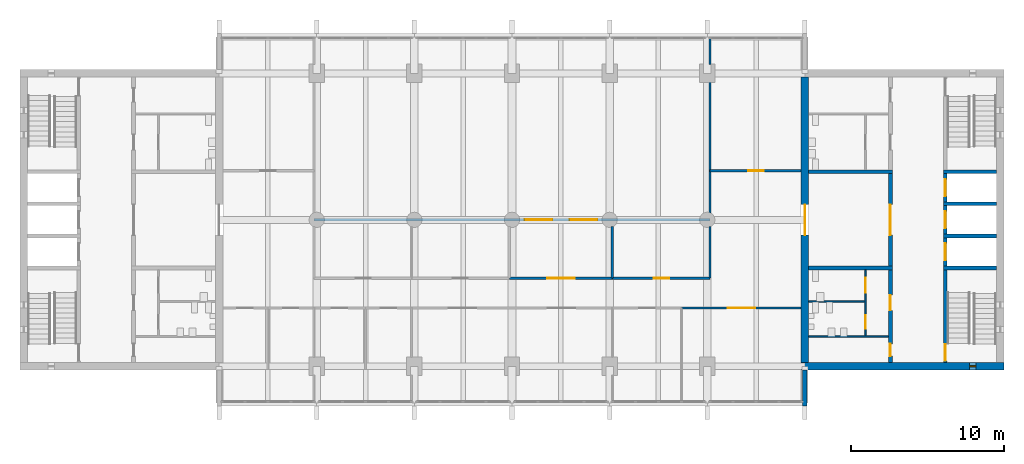
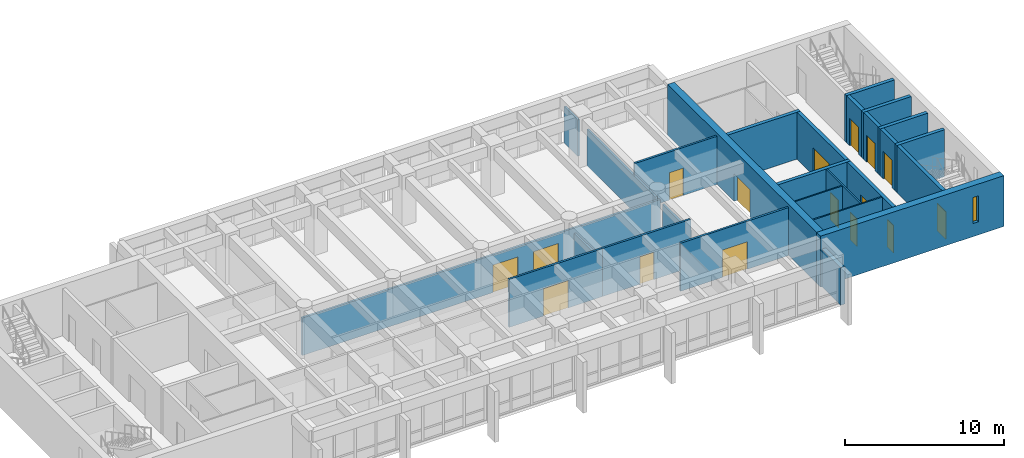
# One storey, part 11 of 15: 27 walls, 16 doors, 1 window, 17 openings.
"""IFC4 building model written with IfcOpenShell, lengths in metres."""

from ifc_helpers import new_model, si_unit, direction, frame, frame_2d, origin, place, context, subcontext, project, spatial, rectangle, extrude, material, layer, layer_set, type_object, element, fill, save


model = new_model("IFC4")

# Units and contexts
model_context = context("Model", 3, precision=1e-05, world=origin(), true_north=direction((0.0, 1.0)))
body_context = subcontext(model_context, "Body", "Model", "MODEL_VIEW")
ifc_project = project(units=[si_unit("LENGTHUNIT", "METRE"), si_unit("AREAUNIT", "SQUARE_METRE"), si_unit("VOLUMEUNIT", "CUBIC_METRE"), si_unit("PLANEANGLEUNIT", "RADIAN"), si_unit("MASSUNIT", "GRAM", prefix="KILO")], contexts=[model_context])

# Site, building, storey
site_placement = place(None, origin())
site = spatial("IfcSite", under=ifc_project, at=site_placement, CompositionType="ELEMENT")
building_placement = place(site_placement, origin())
building = spatial("IfcBuilding", under=site, at=building_placement, Name="Fogon Plaza Fire Station and Headquarters Tower", CompositionType="ELEMENT")
storey_placement = place(building_placement, frame((0.0, 0.0, 28.800048828125)))
storey = spatial("IfcBuildingStorey", under=building, at=storey_placement, Name="L07", CompositionType="ELEMENT", Elevation=28.800048828125)

# Walls
ifc_material_1 = material(Name="Concrete C40", Category="concrete")
ifc_layer_1 = layer(ifc_material_1, 0.25)
ifc_layer_set_1 = layer_set([ifc_layer_1], Name="Concrete C40")
wall_type_1 = type_object("IfcWallType", Name="Core Wall RC 250", PredefinedType="SOLIDWALL", material=ifc_layer_set_1)
for number, where, z_axis, x_axis, name in (
    (1, (76.550048828125, 40.050048828125, 0.0), (0.0, 0.0, 1.0), (-1.0, 0.0, 0.0), "Core B shaft wall"),
    (2, (76.550048828125, 42.14990234375, 0.0), (0.0, 0.0, 1.0), (-1.0, 0.0, 0.0), "Core B shaft wall"),
    (3, (76.550048828125, 44.25, 0.0), (0.0, 0.0, 1.0), (-1.0, 0.0, 0.0), "Core B shaft wall"),
    (4, (76.550048828125, 46.35009765625, 0.0), (0.0, 0.0, 1.0), (-1.0, 0.0, 0.0), "Core B shaft wall"),
):
    element("IfcWall", number, at=place(storey_placement, frame(where, z_axis=z_axis, x_axis=x_axis)), inside=storey, type_object=wall_type_1, Name=name, PredefinedType="SOLIDWALL", context=body_context, shape_type="SweptSolid", body=[
        extrude(rectangle(XDim=3.47509765625, YDim=0.25, at=frame_2d((1.737548828125, 0.0))), origin(), (0.0, 0.0, 1.0), 3.599853515625),
    ])

# Wall, opening, door
wall_1_placement = place(storey_placement, frame((73.199951171875, 33.85009765625, 0.0), z_axis=(0.0, 0.0, 1.0), x_axis=(0.0, 1.0, 0.0)))
wall_1 = element("IfcWall", 5, at=wall_1_placement, inside=storey, type_object=wall_type_1, Name="Core B shaft wall", PredefinedType="SOLIDWALL", context=body_context, shape_type="SweptSolid", body=[
    extrude(rectangle(XDim=6.074951171875, YDim=0.25, at=frame_2d((3.03759765625, 0.0))), origin(), (0.0, 0.0, 1.0), 3.599853515625),
])
opening_1_placement = place(wall_1_placement, frame((0.10009765625, 0.0, 0.0)))
opening_1 = element("IfcOpeningElement", 6, at=opening_1_placement, cuts=wall_1, Name="Opening L07-D15", PredefinedType="OPENING", context=body_context, shape_type="SweptSolid", body=[
    extrude(rectangle(XDim=1.10009765625, YDim=2.10009765625, at=frame_2d((0.550048828125, 1.050048828125))), frame((0.0, 0.135009765625, 0.0), z_axis=(0.0, -1.0, 0.0), x_axis=(1.0, 0.0, 0.0)), (0.0, 0.0, 1.0), 0.27001953125),
])
ifc_material_2 = material(Name="Steel Fire Door Leaf", Category="steel")
door_type_1 = type_object("IfcDoorType", Name="Stair Door Single 1100x2100", OperationType="SINGLE_SWING_LEFT", PredefinedType="DOOR", material=ifc_material_2)
door_1_placement = place(opening_1_placement, frame((1.10009765625, 0.0, 0.0), z_axis=(0.0, 0.0, 1.0), x_axis=(-1.0, 0.0, 0.0)))
door_1 = element("IfcDoor", 7, at=door_1_placement, inside=storey, type_object=door_type_1, Name="Stair door ST3", OperationType="SINGLE_SWING_RIGHT", OverallHeight=2.10009765625, OverallWidth=1.10009765625, PredefinedType="DOOR", context=body_context, shape_type="SweptSolid", body=[
    extrude(rectangle(XDim=1.10009765625, YDim=2.10009765625, at=frame_2d((0.550048828125, 1.050048828125))), frame((0.0, 0.02490234375, 0.0), z_axis=(0.0, -1.0, 0.0), x_axis=(1.0, 0.0, 0.0)), (0.0, 0.0, 1.0), 0.050048828125),
])
fill(opening_1, door_1)

wall_2_placement = place(storey_placement, frame((73.199951171875, 40.175048828125, 0.0), z_axis=(0.0, 0.0, 1.0), x_axis=(0.0, 1.0, 0.0)))
wall_2 = element("IfcWall", 8, at=wall_2_placement, inside=storey, type_object=wall_type_1, Name="Core B shaft wall", PredefinedType="SOLIDWALL", context=body_context, shape_type="SweptSolid", body=[
    extrude(rectangle(XDim=1.849853515625, YDim=0.25, at=frame_2d((0.9248046875, 0.0))), origin(), (0.0, 0.0, 1.0), 3.599853515625),
])
opening_2_placement = place(wall_2_placement, frame((0.375, 0.0, 0.0)))
opening_2 = element("IfcOpeningElement", 9, at=opening_2_placement, cuts=wall_2, Name="Opening L07-D17", PredefinedType="OPENING", context=body_context, shape_type="SweptSolid", body=[
    extrude(rectangle(XDim=1.10009765625, YDim=2.10009765625, at=frame_2d((0.550048828125, 1.050048828125))), frame((0.0, 0.135009765625, 0.0), z_axis=(0.0, -1.0, 0.0), x_axis=(1.0, 0.0, 0.0)), (0.0, 0.0, 1.0), 0.27001953125),
])
ifc_material_3 = material(Name="Stainless Steel", Category="steel")
door_type_2 = type_object("IfcDoorType", Name="Lift Landing Door 1100x2100", OperationType="SLIDING_TO_LEFT", PredefinedType="DOOR", material=ifc_material_3)
door_2_placement = place(opening_2_placement, origin())
door_2 = element("IfcDoor", 10, at=door_2_placement, inside=storey, type_object=door_type_2, Name="Lift LP3 landing door", OperationType="SLIDING_TO_LEFT", OverallHeight=2.10009765625, OverallWidth=1.10009765625, PredefinedType="DOOR", context=body_context, shape_type="SweptSolid", body=[
    extrude(rectangle(XDim=1.10009765625, YDim=2.10009765625, at=frame_2d((0.550048828125, 1.050048828125))), frame((0.0, 0.02490234375, 0.0), z_axis=(0.0, -1.0, 0.0), x_axis=(1.0, 0.0, 0.0)), (0.0, 0.0, 1.0), 0.050048828125),
])
fill(opening_2, door_2)

wall_3_placement = place(storey_placement, frame((73.199951171875, 42.27490234375, 0.0), z_axis=(0.0, 0.0, 1.0), x_axis=(0.0, 1.0, 0.0)))
wall_3 = element("IfcWall", 11, at=wall_3_placement, inside=storey, type_object=wall_type_1, Name="Core B shaft wall", PredefinedType="SOLIDWALL", context=body_context, shape_type="SweptSolid", body=[
    extrude(rectangle(XDim=1.85009765625, YDim=0.25, at=frame_2d((0.925048828125, 0.0))), origin(), (0.0, 0.0, 1.0), 3.599853515625),
])
opening_3_placement = place(wall_3_placement, frame((0.375, 0.0, 0.0)))
opening_3 = element("IfcOpeningElement", 12, at=opening_3_placement, cuts=wall_3, Name="Opening L07-D18", PredefinedType="OPENING", context=body_context, shape_type="SweptSolid", body=[
    extrude(rectangle(XDim=1.10009765625, YDim=2.10009765625, at=frame_2d((0.550048828125, 1.050048828125))), frame((0.0, 0.135009765625, 0.0), z_axis=(0.0, -1.0, 0.0), x_axis=(1.0, 0.0, 0.0)), (0.0, 0.0, 1.0), 0.27001953125),
])
door_3_placement = place(opening_3_placement, origin())
door_3 = element("IfcDoor", 13, at=door_3_placement, inside=storey, type_object=door_type_2, Name="Lift LP4 landing door", OperationType="SLIDING_TO_LEFT", OverallHeight=2.10009765625, OverallWidth=1.10009765625, PredefinedType="DOOR", context=body_context, shape_type="SweptSolid", body=[
    extrude(rectangle(XDim=1.10009765625, YDim=2.10009765625, at=frame_2d((0.550048828125, 1.050048828125))), frame((0.0, 0.02490234375, 0.0), z_axis=(0.0, -1.0, 0.0), x_axis=(1.0, 0.0, 0.0)), (0.0, 0.0, 1.0), 0.050048828125),
])
fill(opening_3, door_3)

wall_4_placement = place(storey_placement, frame((73.199951171875, 44.375, 0.0), z_axis=(0.0, 0.0, 1.0), x_axis=(0.0, 1.0, 0.0)))
wall_4 = element("IfcWall", 14, at=wall_4_placement, inside=storey, type_object=wall_type_1, Name="Core B shaft wall", PredefinedType="SOLIDWALL", context=body_context, shape_type="SweptSolid", body=[
    extrude(rectangle(XDim=1.85009765625, YDim=0.25, at=frame_2d((0.925048828125, 0.0))), origin(), (0.0, 0.0, 1.0), 3.599853515625),
])
opening_4_placement = place(wall_4_placement, frame((0.375, 0.0, 0.0)))
opening_4 = element("IfcOpeningElement", 15, at=opening_4_placement, cuts=wall_4, Name="Opening L07-D19", PredefinedType="OPENING", context=body_context, shape_type="SweptSolid", body=[
    extrude(rectangle(XDim=1.10009765625, YDim=2.10009765625, at=frame_2d((0.550048828125, 1.050048828125))), frame((0.0, 0.135009765625, 0.0), z_axis=(0.0, -1.0, 0.0), x_axis=(1.0, 0.0, 0.0)), (0.0, 0.0, 1.0), 0.27001953125),
])
door_4_placement = place(opening_4_placement, origin())
door_4 = element("IfcDoor", 16, at=door_4_placement, inside=storey, type_object=door_type_2, Name="Lift FL2 landing door", OperationType="SLIDING_TO_LEFT", OverallHeight=2.10009765625, OverallWidth=1.10009765625, PredefinedType="DOOR", context=body_context, shape_type="SweptSolid", body=[
    extrude(rectangle(XDim=1.10009765625, YDim=2.10009765625, at=frame_2d((0.550048828125, 1.050048828125))), frame((0.0, 0.02490234375, 0.0), z_axis=(0.0, -1.0, 0.0), x_axis=(1.0, 0.0, 0.0)), (0.0, 0.0, 1.0), 0.050048828125),
])
fill(opening_4, door_4)

# Wall, openings, doors
wall_5_placement = place(storey_placement, frame((69.60009765625, 33.85009765625, 0.0), z_axis=(0.0, 0.0, 1.0), x_axis=(0.0, 1.0, 0.0)))
wall_5 = element("IfcWall", 17, at=wall_5_placement, inside=storey, type_object=wall_type_1, Name="Core B shaft wall", PredefinedType="SOLIDWALL", context=body_context, shape_type="SweptSolid", body=[
    extrude(rectangle(XDim=6.074951171875, YDim=0.25, at=frame_2d((3.03759765625, 0.0))), origin(), (0.0, 0.0, 1.0), 3.599853515625),
])
opening_5_placement = place(wall_5_placement, frame((0.425048828125, 0.0, 0.0)))
opening_5 = element("IfcOpeningElement", 18, at=opening_5_placement, cuts=wall_5, Name="Opening L07-D22", PredefinedType="OPENING", context=body_context, shape_type="SweptSolid", body=[
    extrude(rectangle(XDim=0.800048828125, YDim=2.10009765625, at=frame_2d((0.39990234375, 1.050048828125))), frame((0.0, 0.135009765625, 0.0), z_axis=(0.0, -1.0, 0.0), x_axis=(1.0, 0.0, 0.0)), (0.0, 0.0, 1.0), 0.27001953125),
])
opening_6_placement = place(wall_5_placement, frame((3.41259765625, 0.0, 0.0)))
opening_6 = element("IfcOpeningElement", 19, at=opening_6_placement, cuts=wall_5, Name="Opening L07-D23", PredefinedType="OPENING", context=body_context, shape_type="SweptSolid", body=[
    extrude(rectangle(XDim=1.0, YDim=2.10009765625, at=frame_2d((0.5, 1.050048828125))), frame((0.0, 0.135009765625, 0.0), z_axis=(0.0, -1.0, 0.0), x_axis=(1.0, 0.0, 0.0)), (0.0, 0.0, 1.0), 0.27001953125),
])
ifc_material_4 = material(Name="Timber Door Leaf", Category="wood")
door_type_3 = type_object("IfcDoorType", Name="Cleaner Store Single 800x2100", OperationType="SINGLE_SWING_LEFT", PredefinedType="DOOR", material=ifc_material_4)
door_5_placement = place(opening_5_placement, origin())
door_5 = element("IfcDoor", 20, at=door_5_placement, inside=storey, type_object=door_type_3, Name="Cleaner's store B door", OperationType="SINGLE_SWING_LEFT", OverallHeight=2.10009765625, OverallWidth=0.800048828125, PredefinedType="DOOR", context=body_context, shape_type="SweptSolid", body=[
    extrude(rectangle(XDim=0.800048828125, YDim=2.10009765625, at=frame_2d((0.39990234375, 1.050048828125))), frame((0.0, 0.02490234375, 0.0), z_axis=(0.0, -1.0, 0.0), x_axis=(1.0, 0.0, 0.0)), (0.0, 0.0, 1.0), 0.050048828125),
])
fill(opening_5, door_5)
ifc_material_5 = material(Name="Timber fire door", Category="wood")
door_type_4 = type_object("IfcDoorType", Name="WC Lobby Single 1000x2100", OperationType="SINGLE_SWING_LEFT", PredefinedType="DOOR", material=ifc_material_5)
door_6_placement = place(opening_6_placement, origin())
door_6 = element("IfcDoor", 21, at=door_6_placement, inside=storey, type_object=door_type_4, Name="Men's WC lobby B door", OperationType="SINGLE_SWING_RIGHT", OverallHeight=2.10009765625, OverallWidth=1.0, PredefinedType="DOOR", context=body_context, shape_type="SweptSolid", body=[
    extrude(rectangle(XDim=1.0, YDim=2.10009765625, at=frame_2d((0.5, 1.050048828125))), frame((0.0, 0.02490234375, 0.0), z_axis=(0.0, -1.0, 0.0), x_axis=(1.0, 0.0, 0.0)), (0.0, 0.0, 1.0), 0.050048828125),
])
fill(opening_6, door_6)

# Wall, opening, door
wall_6_placement = place(storey_placement, frame((69.60009765625, 40.175048828125, 0.0), z_axis=(0.0, 0.0, 1.0), x_axis=(0.0, 1.0, 0.0)))
wall_6 = element("IfcWall", 22, at=wall_6_placement, inside=storey, type_object=wall_type_1, Name="Core B shaft wall", PredefinedType="SOLIDWALL", context=body_context, shape_type="SweptSolid", body=[
    extrude(rectangle(XDim=6.050048828125, YDim=0.25, at=frame_2d((3.02490234375, 0.0))), origin(), (0.0, 0.0, 1.0), 3.599853515625),
])
opening_7_placement = place(wall_6_placement, frame((2.02490234375, 0.0, 0.0)))
opening_7 = element("IfcOpeningElement", 23, at=opening_7_placement, cuts=wall_6, Name="Opening L07-D20", PredefinedType="OPENING", context=body_context, shape_type="SweptSolid", body=[
    extrude(rectangle(XDim=2.0, YDim=2.10009765625, at=frame_2d((1.0, 1.050048828125))), frame((0.0, 0.135009765625, 0.0), z_axis=(0.0, -1.0, 0.0), x_axis=(1.0, 0.0, 0.0)), (0.0, 0.0, 1.0), 0.27001953125),
])
ifc_material_6 = material(Name="Steel Fire Door Leaf", Category="steel")
door_type_5 = type_object("IfcDoorType", Name="Vestibule Double 2000x2100", OperationType="DOUBLE_DOOR_SINGLE_SWING", PredefinedType="DOOR", material=ifc_material_6)
door_7_placement = place(opening_7_placement, origin())
door_7 = element("IfcDoor", 24, at=door_7_placement, inside=storey, type_object=door_type_5, Name="Vestibule B door", OperationType="DOUBLE_DOOR_SINGLE_SWING", OverallHeight=2.10009765625, OverallWidth=2.0, PredefinedType="DOOR", context=body_context, shape_type="SweptSolid", body=[
    extrude(rectangle(XDim=2.0, YDim=2.10009765625, at=frame_2d((1.0, 1.050048828125))), frame((0.0, 0.02490234375, 0.0), z_axis=(0.0, -1.0, 0.0), x_axis=(1.0, 0.0, 0.0)), (0.0, 0.0, 1.0), 0.050048828125),
])
fill(opening_7, door_7)

# Walls
for number, where, z_axis, x_axis, name in (
    (25, (69.72509765625, 40.050048828125, 0.0), (0.0, 0.0, 1.0), (-1.0, 0.0, 0.0), "Core B shaft wall"),
    (26, (69.72509765625, 46.35009765625, 0.0), (0.0, 0.0, 1.0), (-1.0, 0.0, 0.0), "Core B shaft wall"),
):
    element("IfcWall", number, at=place(storey_placement, frame(where, z_axis=z_axis, x_axis=x_axis)), inside=storey, type_object=wall_type_1, Name=name, PredefinedType="SOLIDWALL", context=body_context, shape_type="SweptSolid", body=[
        extrude(rectangle(XDim=5.47509765625, YDim=0.25, at=frame_2d((2.737548828125, 0.0))), origin(), (0.0, 0.0, 1.0), 3.599853515625),
    ])
ifc_material_7 = material(Name="Concrete C40", Category="concrete")
ifc_layer_2 = layer(ifc_material_7, 0.300048828125)
ifc_layer_set_2 = layer_set([ifc_layer_2], Name="Concrete C40")
wall_type_2 = type_object("IfcWallType", Name="Fair-faced RC Return Panel 300", PredefinedType="SOLIDWALL", material=ifc_layer_set_2)
wall_7_placement = place(storey_placement, frame((64.0, 31.0, 0.0), z_axis=(0.0, 0.0, 1.0), x_axis=(0.0, 1.0, 0.0)))
element("IfcWall", 27, at=wall_7_placement, inside=storey, type_object=wall_type_2, Name="Bar end return ES L07", PredefinedType="SOLIDWALL", context=body_context, shape_type="SweptSolid", body=[
    extrude(rectangle(XDim=2.35009765625, YDim=0.300048828125, at=frame_2d((1.175048828125, 0.0))), origin(), (0.0, 0.0, 1.0), 2.8798828125),
])
ifc_material_8 = material(Name="Blockwork", Category="masonry")
ifc_layer_3 = layer(ifc_material_8, 0.10009765625)
ifc_layer_set_3 = layer_set([ifc_layer_3], Name="Blockwork")
wall_type_3 = type_object("IfcWallType", Name="Partition Blockwork 100", PredefinedType="PARTITIONING", material=ifc_layer_set_3)
wall_8_placement = place(storey_placement, frame((69.47509765625, 35.550048828125, 0.0), z_axis=(0.0, 0.0, 1.0), x_axis=(-1.0, 0.0, 0.0)))
element("IfcWall", 28, at=wall_8_placement, inside=storey, type_object=wall_type_3, Name="Cleaner's store partition", PredefinedType="PARTITIONING", context=body_context, shape_type="SweptSolid", body=[
    extrude(rectangle(XDim=5.22509765625, YDim=0.10009765625, at=frame_2d((2.612548828125, 0.0))), origin(), (0.0, 0.0, 1.0), 3.599853515625),
])

# Wall, openings, doors
wall_9_placement = place(storey_placement, frame((67.97509765625, 35.60009765625, 0.0), z_axis=(0.0, 0.0, 1.0), x_axis=(0.0, 1.0, 0.0)))
wall_9 = element("IfcWall", 29, at=wall_9_placement, inside=storey, type_object=wall_type_3, Name="WC block partition", PredefinedType="PARTITIONING", context=body_context, shape_type="SweptSolid", body=[
    extrude(rectangle(XDim=4.324951171875, YDim=0.10009765625, at=frame_2d((2.16259765625, 0.0))), origin(), (0.0, 0.0, 1.0), 3.599853515625),
])
opening_8_placement = place(wall_9_placement, frame((0.449951171875, 0.0, 0.0)))
opening_8 = element("IfcOpeningElement", 30, at=opening_8_placement, cuts=wall_9, Name="Opening L07-D24", PredefinedType="OPENING", context=body_context, shape_type="SweptSolid", body=[
    extrude(rectangle(XDim=0.89990234375, YDim=2.10009765625, at=frame_2d((0.449951171875, 1.050048828125))), frame((0.0, 0.06005859375, 0.0), z_axis=(0.0, -1.0, 0.0), x_axis=(1.0, 0.0, 0.0)), (0.0, 0.0, 1.0), 0.1201171875),
])
opening_9_placement = place(wall_9_placement, frame((2.8125, 0.0, 0.0)))
opening_9 = element("IfcOpeningElement", 31, at=opening_9_placement, cuts=wall_9, Name="Opening L07-D25", PredefinedType="OPENING", context=body_context, shape_type="SweptSolid", body=[
    extrude(rectangle(XDim=1.0, YDim=2.10009765625, at=frame_2d((0.5, 1.050048828125))), frame((0.0, 0.06005859375, 0.0), z_axis=(0.0, -1.0, 0.0), x_axis=(1.0, 0.0, 0.0)), (0.0, 0.0, 1.0), 0.1201171875),
])
ifc_material_9 = material(Name="Timber Door Leaf", Category="wood")
door_type_6 = type_object("IfcDoorType", Name="Accessible WC Single 1000x2100", OperationType="SINGLE_SWING_LEFT", PredefinedType="DOOR", material=ifc_material_9)
door_8_placement = place(opening_9_placement, origin())
door_8 = element("IfcDoor", 32, at=door_8_placement, inside=storey, type_object=door_type_6, Name="Accessible WC B door", OperationType="SINGLE_SWING_RIGHT", OverallHeight=2.10009765625, OverallWidth=1.0, PredefinedType="DOOR", context=body_context, shape_type="SweptSolid", body=[
    extrude(rectangle(XDim=1.0, YDim=2.10009765625, at=frame_2d((0.5, 1.050048828125))), frame((0.0, 0.02490234375, 0.0), z_axis=(0.0, -1.0, 0.0), x_axis=(1.0, 0.0, 0.0)), (0.0, 0.0, 1.0), 0.050048828125),
])
fill(opening_9, door_8)
ifc_material_10 = material(Name="Timber Door Leaf", Category="wood")
door_type_7 = type_object("IfcDoorType", Name="WC Single 900x2100", OperationType="SINGLE_SWING_LEFT", PredefinedType="DOOR", material=ifc_material_10)
door_9_placement = place(opening_8_placement, origin())
door_9 = element("IfcDoor", 33, at=door_9_placement, inside=storey, type_object=door_type_7, Name="Men's WC B door", OperationType="SINGLE_SWING_LEFT", OverallHeight=2.10009765625, OverallWidth=0.89990234375, PredefinedType="DOOR", context=body_context, shape_type="SweptSolid", body=[
    extrude(rectangle(XDim=0.89990234375, YDim=2.10009765625, at=frame_2d((0.449951171875, 1.050048828125))), frame((0.0, 0.02490234375, 0.0), z_axis=(0.0, -1.0, 0.0), x_axis=(1.0, 0.0, 0.0)), (0.0, 0.0, 1.0), 0.050048828125),
])
fill(opening_8, door_9)

# Wall
wall_10_placement = place(storey_placement, frame((67.925048828125, 37.85009765625, 0.0), z_axis=(0.0, 0.0, 1.0), x_axis=(-1.0, 0.0, 0.0)))
element("IfcWall", 34, at=wall_10_placement, inside=storey, type_object=wall_type_3, Name="WC block partition", PredefinedType="PARTITIONING", context=body_context, shape_type="SweptSolid", body=[
    extrude(rectangle(XDim=3.675048828125, YDim=0.10009765625, at=frame_2d((1.83740234375, 0.0))), origin(), (0.0, 0.0, 1.0), 3.599853515625),
])

# Wall, opening, window
ifc_material_11 = material(Name="Concrete C40", Category="concrete")
ifc_layer_4 = layer(ifc_material_11, 0.5)
ifc_layer_set_4 = layer_set([ifc_layer_4], Name="Concrete C40")
wall_type_4 = type_object("IfcWallType", Name="Shear wall 500 SW50", PredefinedType="SHEAR", material=ifc_layer_set_4)
wall_11_placement = place(storey_placement, frame((63.75, 33.60009765625, 0.0), z_axis=(0.0, 0.0, 1.0), x_axis=(1.0, 0.0, 0.0)))
wall_11 = element("IfcWall", 35, at=wall_11_placement, inside=storey, type_object=wall_type_4, Name="wall-coreB-S-L07", PredefinedType="SHEAR", context=body_context, shape_type="SweptSolid", body=[
    extrude(rectangle(XDim=13.300048828125, YDim=0.5, at=frame_2d((6.64990234375, 0.0))), origin(), (0.0, 0.0, 1.0), 3.89990234375),
])
opening_10_placement = place(wall_11_placement, frame((11.050048828125, 0.0, 1.0)))
opening_10 = element("IfcOpeningElement", 36, at=opening_10_placement, cuts=wall_11, Name="Opening WS1", PredefinedType="OPENING", context=body_context, shape_type="SweptSolid", body=[
    extrude(rectangle(XDim=0.39990234375, YDim=2.0, at=frame_2d((0.199951171875, 1.0))), frame((0.0, 0.260009765625, 0.0), z_axis=(0.0, -1.0, 0.0), x_axis=(1.0, 0.0, 0.0)), (0.0, 0.0, 1.0), 0.52001953125),
])
ifc_material_12 = material(Name="Aluminium framed double glazing", Category="aluminium")
window_type = type_object("IfcWindowType", Name="Slit Window WS1 400x2000", PartitioningType="SINGLE_PANEL", PredefinedType="WINDOW", material=ifc_material_12)
window_placement = place(opening_10_placement, origin())
window = element("IfcWindow", 37, at=window_placement, inside=storey, type_object=window_type, Name="Slit window B5 L07", OverallHeight=2.0, OverallWidth=0.39990234375, PartitioningType="SINGLE_PANEL", PredefinedType="WINDOW", context=body_context, shape_type="SweptSolid", body=[
    extrude(rectangle(XDim=0.39990234375, YDim=2.0, at=frame_2d((0.199951171875, 1.0))), frame((0.0, 0.030029296875, 0.0), z_axis=(0.0, -1.0, 0.0), x_axis=(1.0, 0.0, 0.0)), (0.0, 0.0, 1.0), 0.06005859375),
])
fill(opening_10, window)

# Wall, opening, door
wall_12_placement = place(storey_placement, frame((64.0, 33.85009765625, 0.0), z_axis=(0.0, 0.0, 1.0), x_axis=(0.0, 1.0, 0.0)))
wall_12 = element("IfcWall", 38, at=wall_12_placement, inside=storey, type_object=wall_type_4, Name="wall-coreB-W-L07", PredefinedType="SHEAR", context=body_context, shape_type="SweptSolid", body=[
    extrude(rectangle(XDim=18.699951171875, YDim=0.5, at=frame_2d((9.35009765625, 0.0))), origin(), (0.0, 0.0, 1.0), 3.89990234375),
])
opening_11_placement = place(wall_12_placement, frame((8.35009765625, 0.0, 0.0)))
opening_11 = element("IfcOpeningElement", 39, at=opening_11_placement, cuts=wall_12, Name="Opening L07-D21", PredefinedType="OPENING", context=body_context, shape_type="SweptSolid", body=[
    extrude(rectangle(XDim=2.0, YDim=2.10009765625, at=frame_2d((1.0, 1.050048828125))), frame((0.0, 0.260009765625, 0.0), z_axis=(0.0, -1.0, 0.0), x_axis=(1.0, 0.0, 0.0)), (0.0, 0.0, 1.0), 0.52001953125),
])
door_10_placement = place(opening_11_placement, frame((2.0, 0.0, 0.0), z_axis=(0.0, 0.0, 1.0), x_axis=(-1.0, 0.0, 0.0)))
door_10 = element("IfcDoor", 40, at=door_10_placement, inside=storey, type_object=door_type_5, Name="Vestibule B door to the office zone", OperationType="DOUBLE_DOOR_SINGLE_SWING", OverallHeight=2.10009765625, OverallWidth=2.0, PredefinedType="DOOR", context=body_context, shape_type="SweptSolid", body=[
    extrude(rectangle(XDim=2.0, YDim=2.10009765625, at=frame_2d((1.0, 1.050048828125))), frame((0.0, 0.02490234375, 0.0), z_axis=(0.0, -1.0, 0.0), x_axis=(1.0, 0.0, 0.0)), (0.0, 0.0, 1.0), 0.050048828125),
])
fill(opening_11, door_10)

ifc_material_13 = material(Name="Gypsum board on steel stud", Category="steel")
ifc_layer_5 = layer(ifc_material_13, 0.14990234375)
ifc_layer_set_5 = layer_set([ifc_layer_5], Name="Gypsum board on steel stud")
wall_type_5 = type_object("IfcWallType", Name="Tower corridor partition 150 EI 60", PredefinedType="PARTITIONING", material=ifc_layer_set_5)
wall_13_placement = place(storey_placement, frame((55.909912109375, 37.425048828125, 0.0), z_axis=(0.0, 0.0, 1.0), x_axis=(1.0, 0.0, 0.0)))
wall_13 = element("IfcWall", 41, at=wall_13_placement, inside=storey, type_object=wall_type_5, Name="part-L07-07", PredefinedType="PARTITIONING", context=body_context, shape_type="SweptSolid", body=[
    extrude(rectangle(XDim=7.840087890625, YDim=0.14990234375, at=frame_2d((3.919921875, 0.0))), origin(), (0.0, 0.0, 1.0), 3.679931640625),
])
opening_12_placement = place(wall_13_placement, frame((3.0400390625, 0.0, 0.0)))
opening_12 = element("IfcOpeningElement", 42, at=opening_12_placement, cuts=wall_13, Name="Opening L07-D36", PredefinedType="OPENING", context=body_context, shape_type="SweptSolid", body=[
    extrude(rectangle(XDim=1.800048828125, YDim=2.10009765625, at=frame_2d((0.89990234375, 1.050048828125))), frame((0.0, 0.0849609375, 0.0), z_axis=(0.0, -1.0, 0.0), x_axis=(1.0, 0.0, 0.0)), (0.0, 0.0, 1.0), 0.169921875),
])
ifc_material_14 = material(Name="Timber fire door", Category="wood")
door_type_8 = type_object("IfcDoorType", Name="Tower fire door double 1800 EI 20", OperationType="DOUBLE_DOOR_SINGLE_SWING", PredefinedType="DOOR", material=ifc_material_14)
door_11_placement = place(opening_12_placement, frame((1.800048828125, 0.0, 0.0), z_axis=(0.0, 0.0, 1.0), x_axis=(-1.0, 0.0, 0.0)))
door_11 = element("IfcDoor", 43, at=door_11_placement, inside=storey, type_object=door_type_8, Name="door-L07-08", OperationType="DOUBLE_DOOR_SINGLE_SWING", OverallHeight=2.10009765625, OverallWidth=1.800048828125, PredefinedType="DOOR", context=body_context, shape_type="SweptSolid", body=[
    extrude(rectangle(XDim=1.800048828125, YDim=2.10009765625, at=frame_2d((0.89990234375, 1.050048828125))), frame((0.0, 0.02490234375, 0.0), z_axis=(0.0, -1.0, 0.0), x_axis=(1.0, 0.0, 0.0)), (0.0, 0.0, 1.0), 0.050048828125),
])
fill(opening_12, door_11)

wall_14_placement = place(storey_placement, frame((44.6201171875, 39.375, 0.0), z_axis=(0.0, 0.0, 1.0), x_axis=(1.0, 0.0, 0.0)))
wall_14 = element("IfcWall", 44, at=wall_14_placement, inside=storey, type_object=wall_type_5, Name="part-L07-19", PredefinedType="PARTITIONING", context=body_context, shape_type="SweptSolid", body=[
    extrude(rectangle(XDim=6.759765625, YDim=0.14990234375, at=frame_2d((3.3798828125, 0.0))), origin(), (0.0, 0.0, 1.0), 3.679931640625),
])
opening_13_placement = place(wall_14_placement, frame((2.47998046875, 0.0, 0.0)))
opening_13 = element("IfcOpeningElement", 45, at=opening_13_placement, cuts=wall_14, Name="Opening L07-D39", PredefinedType="OPENING", context=body_context, shape_type="SweptSolid", body=[
    extrude(rectangle(XDim=1.800048828125, YDim=2.10009765625, at=frame_2d((0.89990234375, 1.050048828125))), frame((0.0, 0.0849609375, 0.0), z_axis=(0.0, -1.0, 0.0), x_axis=(1.0, 0.0, 0.0)), (0.0, 0.0, 1.0), 0.169921875),
])
door_12_placement = place(opening_13_placement, origin())
door_12 = element("IfcDoor", 46, at=door_12_placement, inside=storey, type_object=door_type_8, Name="door-L07-11", OperationType="DOUBLE_DOOR_SINGLE_SWING", OverallHeight=2.10009765625, OverallWidth=1.800048828125, PredefinedType="DOOR", context=body_context, shape_type="SweptSolid", body=[
    extrude(rectangle(XDim=1.800048828125, YDim=2.10009765625, at=frame_2d((0.89990234375, 1.050048828125))), frame((0.0, 0.02490234375, 0.0), z_axis=(0.0, -1.0, 0.0), x_axis=(1.0, 0.0, 0.0)), (0.0, 0.0, 1.0), 0.050048828125),
])
fill(opening_13, door_12)

wall_15_placement = place(storey_placement, frame((51.3798828125, 39.375, 0.0), z_axis=(0.0, 0.0, 1.0), x_axis=(1.0, 0.0, 0.0)))
wall_15 = element("IfcWall", 47, at=wall_15_placement, inside=storey, type_object=wall_type_5, Name="part-L07-20", PredefinedType="PARTITIONING", context=body_context, shape_type="SweptSolid", body=[
    extrude(rectangle(XDim=6.400146484375, YDim=0.14990234375, at=frame_2d((3.2001953125, 0.0))), origin(), (0.0, 0.0, 1.0), 3.679931640625),
])
opening_14_placement = place(wall_15_placement, frame((2.719970703125, 0.0, 0.0)))
opening_14 = element("IfcOpeningElement", 48, at=opening_14_placement, cuts=wall_15, Name="Opening L07-D40", PredefinedType="OPENING", context=body_context, shape_type="SweptSolid", body=[
    extrude(rectangle(XDim=1.0, YDim=2.10009765625, at=frame_2d((0.5, 1.050048828125))), frame((0.0, 0.0849609375, 0.0), z_axis=(0.0, -1.0, 0.0), x_axis=(1.0, 0.0, 0.0)), (0.0, 0.0, 1.0), 0.169921875),
])
ifc_material_15 = material(Name="Fire rated glazed door")
door_type_9 = type_object("IfcDoorType", Name="Tower glazed fire door single 1000 EI 20", OperationType="SINGLE_SWING_LEFT", PredefinedType="DOOR", material=ifc_material_15)
door_13_placement = place(opening_14_placement, origin())
door_13 = element("IfcDoor", 49, at=door_13_placement, inside=storey, type_object=door_type_9, Name="door-L07-12", OperationType="SINGLE_SWING_LEFT", OverallHeight=2.10009765625, OverallWidth=1.0, PredefinedType="DOOR", context=body_context, shape_type="SweptSolid", body=[
    extrude(rectangle(XDim=1.0, YDim=2.10009765625, at=frame_2d((0.5, 1.050048828125))), frame((0.0, 0.02490234375, 0.0), z_axis=(0.0, -1.0, 0.0), x_axis=(1.0, 0.0, 0.0)), (0.0, 0.0, 1.0), 0.050048828125),
])
fill(opening_14, door_13)

wall_16_placement = place(storey_placement, frame((57.780029296875, 46.425048828125, 0.0), z_axis=(0.0, 0.0, 1.0), x_axis=(1.0, 0.0, 0.0)))
wall_16 = element("IfcWall", 50, at=wall_16_placement, inside=storey, type_object=wall_type_5, Name="part-L07-29", PredefinedType="PARTITIONING", context=body_context, shape_type="SweptSolid", body=[
    extrude(rectangle(XDim=5.969970703125, YDim=0.14990234375, at=frame_2d((2.98486328125, 0.0))), origin(), (0.0, 0.0, 1.0), 3.679931640625),
])
opening_15_placement = place(wall_16_placement, frame((2.52001953125, 0.0, 0.0)))
opening_15 = element("IfcOpeningElement", 51, at=opening_15_placement, cuts=wall_16, Name="Opening L07-D42", PredefinedType="OPENING", context=body_context, shape_type="SweptSolid", body=[
    extrude(rectangle(XDim=1.0, YDim=2.10009765625, at=frame_2d((0.5, 1.050048828125))), frame((0.0, 0.0849609375, 0.0), z_axis=(0.0, -1.0, 0.0), x_axis=(1.0, 0.0, 0.0)), (0.0, 0.0, 1.0), 0.169921875),
])
ifc_material_16 = material(Name="Timber fire door", Category="wood")
door_type_10 = type_object("IfcDoorType", Name="Tower fire door single 1000 EI 20", OperationType="SINGLE_SWING_LEFT", PredefinedType="DOOR", material=ifc_material_16)
door_14_placement = place(opening_15_placement, origin())
door_14 = element("IfcDoor", 52, at=door_14_placement, inside=storey, type_object=door_type_10, Name="door-L07-14", OperationType="SINGLE_SWING_LEFT", OverallHeight=2.10009765625, OverallWidth=1.0, PredefinedType="DOOR", context=body_context, shape_type="SweptSolid", body=[
    extrude(rectangle(XDim=1.0, YDim=2.10009765625, at=frame_2d((0.5, 1.050048828125))), frame((0.0, 0.02490234375, 0.0), z_axis=(0.0, -1.0, 0.0), x_axis=(1.0, 0.0, 0.0)), (0.0, 0.0, 1.0), 0.050048828125),
])
fill(opening_15, door_14)

# Wall, openings, doors
ifc_material_17 = material(Name="Gypsum board on steel stud", Category="steel")
ifc_layer_6 = layer(ifc_material_17, 0.14990234375)
ifc_layer_set_6 = layer_set([ifc_layer_6], Name="Gypsum board on steel stud")
wall_type_6 = type_object("IfcWallType", Name="Tower corridor partition 150 EI 60 Beam Head 800", PredefinedType="PARTITIONING", material=ifc_layer_set_6)
wall_17_placement = place(storey_placement, frame((31.820068359375, 43.199951171875, 0.0), z_axis=(0.0, 0.0, 1.0), x_axis=(1.0, 0.0, 0.0)))
wall_17 = element("IfcWall", 53, at=wall_17_placement, inside=storey, type_object=wall_type_6, Name="part-L07-24", PredefinedType="PARTITIONING", context=body_context, shape_type="SweptSolid", body=[
    extrude(rectangle(XDim=25.9599609375, YDim=0.14990234375, at=frame_2d((12.97998046875, 0.0))), origin(), (0.0, 0.0, 1.0), 2.8798828125),
])
opening_16_placement = place(wall_17_placement, frame((13.824951171875, 0.0, 0.0)))
opening_16 = element("IfcOpeningElement", 54, at=opening_16_placement, cuts=wall_17, Name="Opening L07-D43", PredefinedType="OPENING", context=body_context, shape_type="SweptSolid", body=[
    extrude(rectangle(XDim=1.800048828125, YDim=2.10009765625, at=frame_2d((0.89990234375, 1.050048828125))), frame((0.0, 0.0849609375, 0.0), z_axis=(0.0, -1.0, 0.0), x_axis=(1.0, 0.0, 0.0)), (0.0, 0.0, 1.0), 0.169921875),
])
opening_17_placement = place(wall_17_placement, frame((16.77490234375, 0.0, 0.0)))
opening_17 = element("IfcOpeningElement", 55, at=opening_17_placement, cuts=wall_17, Name="Opening L07-D44", PredefinedType="OPENING", context=body_context, shape_type="SweptSolid", body=[
    extrude(rectangle(XDim=1.800048828125, YDim=2.10009765625, at=frame_2d((0.89990234375, 1.050048828125))), frame((0.0, 0.0849609375, 0.0), z_axis=(0.0, -1.0, 0.0), x_axis=(1.0, 0.0, 0.0)), (0.0, 0.0, 1.0), 0.169921875),
])
door_15_placement = place(opening_16_placement, origin())
door_15 = element("IfcDoor", 56, at=door_15_placement, inside=storey, type_object=door_type_8, Name="door-L07-15", OperationType="DOUBLE_DOOR_SINGLE_SWING", OverallHeight=2.10009765625, OverallWidth=1.800048828125, PredefinedType="DOOR", context=body_context, shape_type="SweptSolid", body=[
    extrude(rectangle(XDim=1.800048828125, YDim=2.10009765625, at=frame_2d((0.89990234375, 1.050048828125))), frame((0.0, 0.02490234375, 0.0), z_axis=(0.0, -1.0, 0.0), x_axis=(1.0, 0.0, 0.0)), (0.0, 0.0, 1.0), 0.050048828125),
])
fill(opening_16, door_15)
door_16_placement = place(opening_17_placement, origin())
door_16 = element("IfcDoor", 57, at=door_16_placement, inside=storey, type_object=door_type_8, Name="door-L07-16", OperationType="DOUBLE_DOOR_SINGLE_SWING", OverallHeight=2.10009765625, OverallWidth=1.800048828125, PredefinedType="DOOR", context=body_context, shape_type="SweptSolid", body=[
    extrude(rectangle(XDim=1.800048828125, YDim=2.10009765625, at=frame_2d((0.89990234375, 1.050048828125))), frame((0.0, 0.02490234375, 0.0), z_axis=(0.0, -1.0, 0.0), x_axis=(1.0, 0.0, 0.0)), (0.0, 0.0, 1.0), 0.050048828125),
])
fill(opening_17, door_16)

# Walls
ifc_material_18 = material(Name="Gypsum board on steel stud", Category="steel")
ifc_layer_7 = layer(ifc_material_18, 0.14990234375)
ifc_layer_set_7 = layer_set([ifc_layer_7], Name="Gypsum board on steel stud")
wall_type_7 = type_object("IfcWallType", Name="Tower corridor partition 150 EI 60 Beam Head 900", PredefinedType="PARTITIONING", material=ifc_layer_set_7)
for number, where, z_axis, x_axis, name in (
    (58, (51.3798828125, 39.375, 0.0), (0.0, 0.0, 1.0), (0.0, 1.0, 0.0), "part-L07-23"),
    (59, (57.780029296875, 39.375, 0.0), (0.0, 0.0, 1.0), (0.0, 1.0, 0.0), "part-L07-30"),
):
    element("IfcWall", number, at=place(storey_placement, frame(where, z_axis=z_axis, x_axis=x_axis)), inside=storey, type_object=wall_type_7, Name=name, PredefinedType="PARTITIONING", context=body_context, shape_type="SweptSolid", body=[
        extrude(rectangle(XDim=3.37841796875, YDim=0.14990234375, at=frame_2d((1.689208984375, 0.0))), origin(), (0.0, 0.0, 1.0), 2.780029296875),
    ])
wall_18_placement = place(storey_placement, frame((57.780029296875, 43.646484375, 0.0), z_axis=(0.0, 0.0, 1.0), x_axis=(0.0, 1.0, 0.0)))
element("IfcWall", 60, at=wall_18_placement, inside=storey, type_object=wall_type_7, Name="part-L07-31", PredefinedType="PARTITIONING", context=body_context, shape_type="SweptSolid", body=[
    extrude(rectangle(XDim=8.573486328125, YDim=0.14990234375, at=frame_2d((4.28662109375, 0.0))), origin(), (0.0, 0.0, 1.0), 2.780029296875),
])
wall_19_placement = place(storey_placement, frame((57.780029296875, 53.3798828125, 0.0), z_axis=(0.0, 0.0, 1.0), x_axis=(0.0, 1.0, 0.0)))
element("IfcWall", 61, at=wall_19_placement, inside=storey, type_object=wall_type_7, Name="part-L07-32", PredefinedType="PARTITIONING", context=body_context, shape_type="SweptSolid", body=[
    extrude(rectangle(XDim=1.72021484375, YDim=0.14990234375, at=frame_2d((0.860107421875, 0.0))), origin(), (0.0, 0.0, 1.0), 2.780029296875),
])

save(model, "model.ifc")
